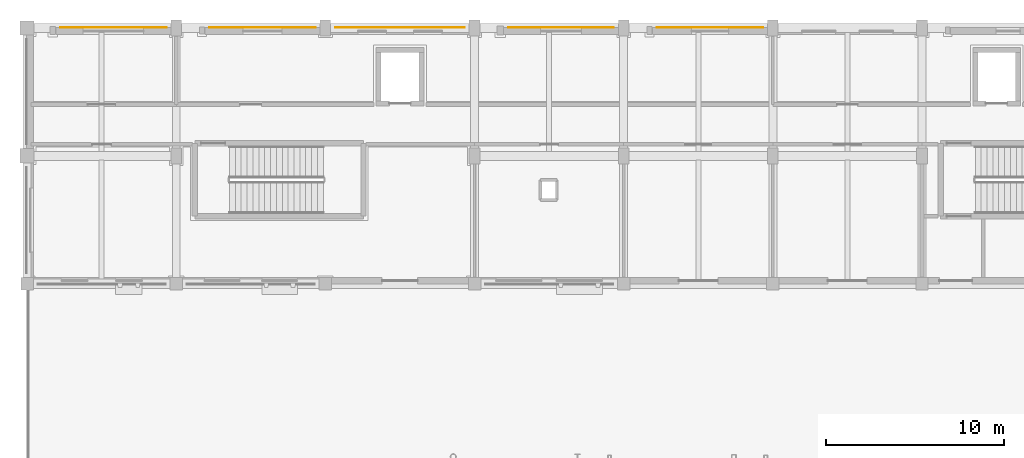
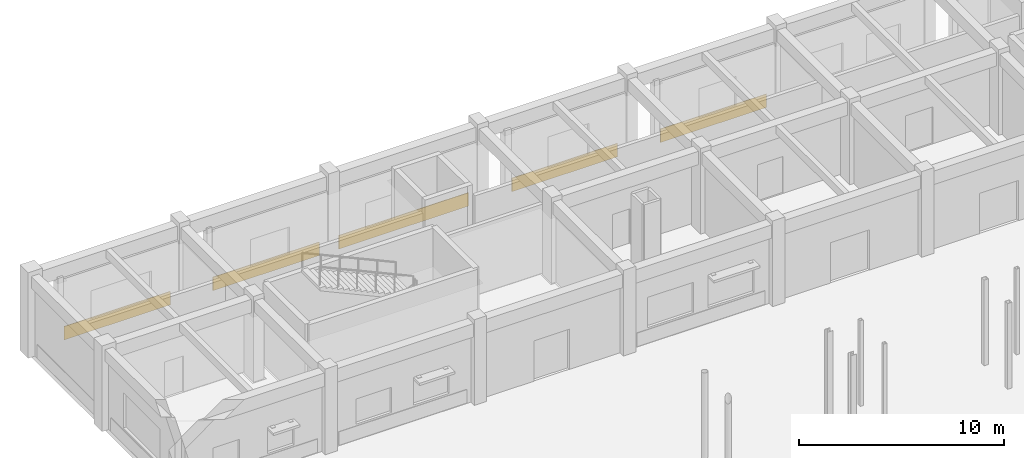
# One storey, part 120 of 121: 5 coverings.
"""IFC4 building model written with IfcOpenShell, lengths in metres."""

from ifc_helpers import new_model, si_unit, direction, frame, origin, place, context, subcontext, project, spatial, polyline, outline, extrude, material, layer, layer_set, type_object, element, save


model = new_model("IFC4")

# Units and contexts
model_context = context("Model", 3, precision=1e-05, world=origin(), true_north=direction((0.0, 1.0)))
body_context = subcontext(model_context, "Body", "Model", "MODEL_VIEW")
ifc_project = project(units=[si_unit("LENGTHUNIT", "METRE"), si_unit("AREAUNIT", "SQUARE_METRE"), si_unit("VOLUMEUNIT", "CUBIC_METRE"), si_unit("PLANEANGLEUNIT", "RADIAN"), si_unit("MASSUNIT", "GRAM", prefix="KILO")], contexts=[model_context])

# Site, building, storey
site_placement = place(None, origin())
site = spatial("IfcSite", under=ifc_project, at=site_placement, CompositionType="ELEMENT")
building_placement = place(site_placement, origin())
building = spatial("IfcBuilding", under=site, at=building_placement, Name="Malvenik Polytechnic", CompositionType="ELEMENT")
storey_placement = place(building_placement, origin())
storey = spatial("IfcBuildingStorey", under=building, at=storey_placement, Name="L00", CompositionType="ELEMENT", Elevation=0.0)

# Coverings
ifc_material = material(Name="Glazed ochre architectural terracotta rainscreen tile 35mm", Category="masonry")
ifc_layer = layer(ifc_material, 0.034912109375)
ifc_layer_set = layer_set([ifc_layer], Name="Glazed ochre architectural terracotta rainscreen tile 35mm")
covering_type = type_object("IfcCoveringType", Name="ARC-COV-CLAD-TERR", PredefinedType="CLADDING", material=ifc_layer_set)
covering_1_placement = place(storey_placement, frame((0.0, 0.0, 0.050048828125)))
element("IfcCovering", 1, at=covering_1_placement, inside=storey, type_object=covering_type, Name="Stone Rainscreen Band CL-02 L00 #44", PredefinedType="CLADDING", context=body_context, shape_type="SweptSolid", body=[
    extrude(outline(polyline([(1.867919921875, 129.615966796875), (7.85205078125, 129.615966796875), (7.85205078125, 129.65087890625), (1.867919921875, 129.65087890625), (1.867919921875, 129.615966796875)])), origin(), (0.0, 0.0, 1.0), 0.800048828125),
])
covering_2_placement = place(storey_placement, frame((0.0, 0.0, 0.050048828125)))
element("IfcCovering", 2, at=covering_2_placement, inside=storey, type_object=covering_type, Name="Stone Rainscreen Band CL-02 L00 #45", PredefinedType="CLADDING", context=body_context, shape_type="SweptSolid", body=[
    extrude(outline(polyline([(10.258056640625, 129.615966796875), (16.251953125, 129.615966796875), (16.251953125, 129.65087890625), (10.258056640625, 129.65087890625), (10.258056640625, 129.615966796875)])), origin(), (0.0, 0.0, 1.0), 0.800048828125),
])
covering_3_placement = place(storey_placement, frame((0.0, 0.0, 0.050048828125)))
element("IfcCovering", 3, at=covering_3_placement, inside=storey, type_object=covering_type, Name="Stone Rainscreen Band CL-02 L00 #46", PredefinedType="CLADDING", context=body_context, shape_type="SweptSolid", body=[
    extrude(outline(polyline([(17.347900390625, 129.615966796875), (24.652099609375, 129.615966796875), (24.652099609375, 129.65087890625), (17.347900390625, 129.65087890625), (17.347900390625, 129.615966796875)])), origin(), (0.0, 0.0, 1.0), 0.800048828125),
])
covering_4_placement = place(storey_placement, frame((0.0, 0.0, 0.050048828125)))
element("IfcCovering", 4, at=covering_4_placement, inside=storey, type_object=covering_type, Name="Stone Rainscreen Band CL-02 L00 #47", PredefinedType="CLADDING", context=body_context, shape_type="SweptSolid", body=[
    extrude(outline(polyline([(27.093017578125, 129.615966796875), (33.052001953125, 129.615966796875), (33.052001953125, 129.65087890625), (27.093017578125, 129.65087890625), (27.093017578125, 129.615966796875)])), origin(), (0.0, 0.0, 1.0), 0.800048828125),
])
covering_5_placement = place(storey_placement, frame((0.0, 0.0, 0.050048828125)))
element("IfcCovering", 5, at=covering_5_placement, inside=storey, type_object=covering_type, Name="Stone Rainscreen Band CL-02 L00 #48", PredefinedType="CLADDING", context=body_context, shape_type="SweptSolid", body=[
    extrude(outline(polyline([(35.468017578125, 129.615966796875), (41.451904296875, 129.615966796875), (41.451904296875, 129.65087890625), (35.468017578125, 129.65087890625), (35.468017578125, 129.615966796875)])), origin(), (0.0, 0.0, 1.0), 0.800048828125),
])

save(model, "model.ifc")
